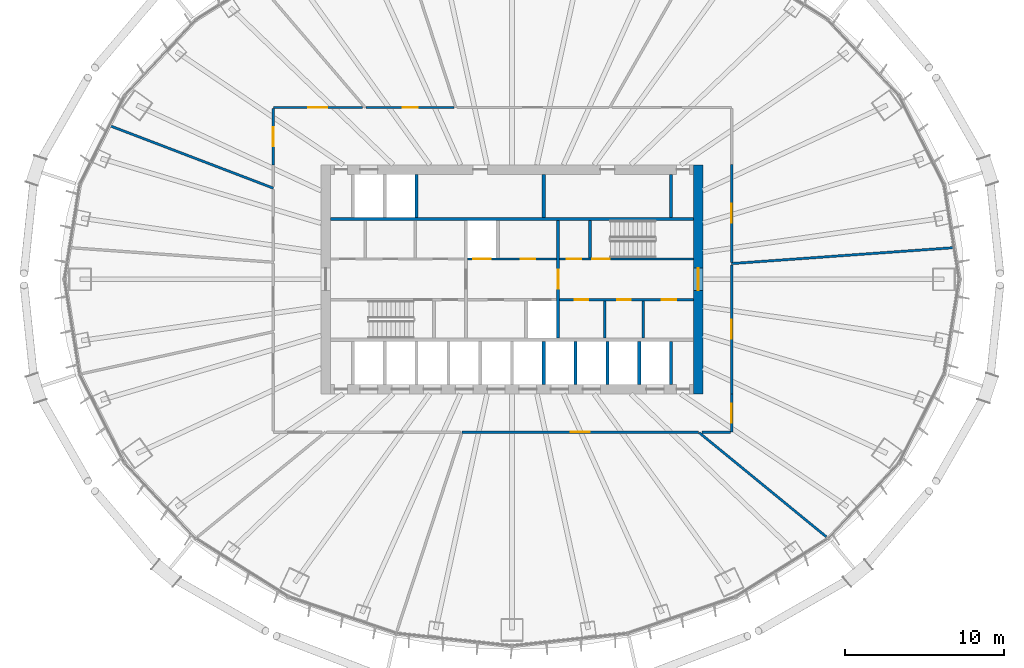
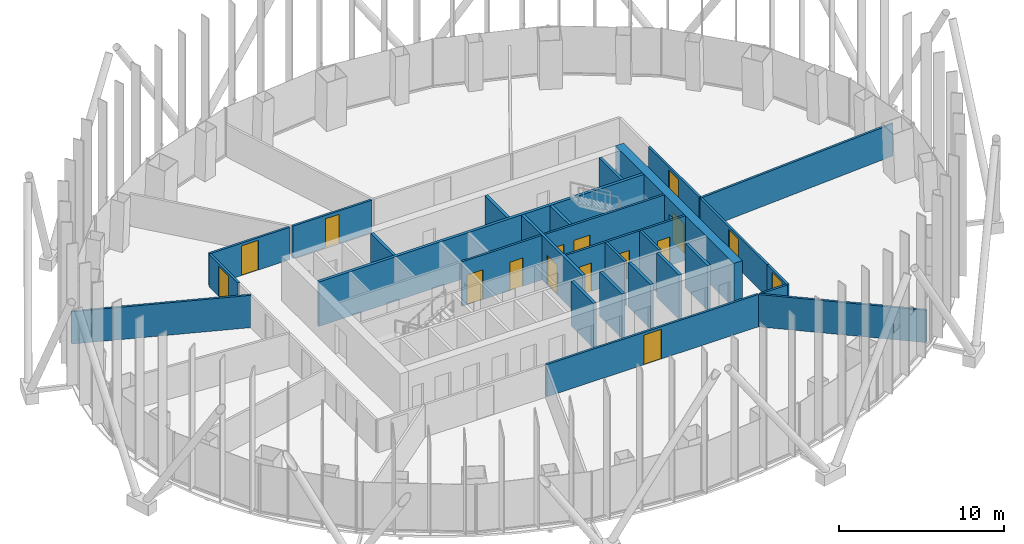
# One storey, part 9 of 22: 28 walls, 16 doors, 16 openings.
"""IFC4 building model written with IfcOpenShell, lengths in metres."""

from ifc_helpers import new_model, si_unit, direction, frame, frame_2d, origin, place, context, subcontext, project, spatial, rectangle, extrude, material, layer, layer_set, type_object, element, fill, save


model = new_model("IFC4")

# Units and contexts
model_context = context("Model", 3, precision=1e-05, world=origin(), true_north=direction((0.0, 1.0)))
body_context = subcontext(model_context, "Body", "Model", "MODEL_VIEW")
ifc_project = project(units=[si_unit("LENGTHUNIT", "METRE"), si_unit("AREAUNIT", "SQUARE_METRE"), si_unit("VOLUMEUNIT", "CUBIC_METRE"), si_unit("PLANEANGLEUNIT", "RADIAN"), si_unit("MASSUNIT", "GRAM", prefix="KILO")], contexts=[model_context])

# Site, building, storey
site_placement = place(None, origin())
site = spatial("IfcSite", under=ifc_project, at=site_placement, CompositionType="ELEMENT")
building_placement = place(site_placement, origin())
building = spatial("IfcBuilding", under=site, at=building_placement, Name="Siaravel Broadcast Tower", CompositionType="ELEMENT")
storey_placement = place(building_placement, frame((0.0, 0.0, 37.10009765625)))
storey = spatial("IfcBuildingStorey", under=building, at=storey_placement, Name="L07", CompositionType="ELEMENT", Elevation=37.10009765625)

# Walls
ifc_material_1 = material(Name="Concrete blockwork", Category="masonry")
ifc_layer_1 = layer(ifc_material_1, 0.14990234375)
ifc_layer_set_1 = layer_set([ifc_layer_1], Name="Concrete blockwork")
wall_type_1 = type_object("IfcWallType", Name="Core partition 150", PredefinedType="PARTITIONING", material=ifc_layer_set_1)
for number, where, z_axis, x_axis, name in (
    (1, (5.8291015625, -3.699951171875, 0.0), (0.0, 0.0, 1.0), (0.0, 1.0, 0.0), "L07 core partition PSE0"),
    (2, (8.2470703125, -3.699951171875, 0.0), (0.0, 0.0, 1.0), (0.0, 1.0, 0.0), "L07 core partition PSE1"),
):
    element("IfcWall", number, at=place(storey_placement, frame(where, z_axis=z_axis, x_axis=x_axis)), inside=storey, type_object=wall_type_1, Name=name, PredefinedType="PARTITIONING", context=body_context, shape_type="SweptSolid", body=[
        extrude(rectangle(XDim=2.349853515625, YDim=0.14990234375, at=frame_2d((1.1748046875, 0.0))), origin(), (0.0, 0.0, 1.0), 3.2998046875),
    ])
ifc_layer_2 = layer(ifc_material_1, 0.199951171875)
ifc_layer_set_2 = layer_set([ifc_layer_2], Name="Concrete blockwork")
wall_type_2 = type_object("IfcWallType", Name="Core partition 200", PredefinedType="PARTITIONING", material=ifc_layer_set_2)
wall_1_placement = place(storey_placement, frame((2.0, 3.89990234375, 0.0), z_axis=(0.0, 0.0, 1.0), x_axis=(0.0, 1.0, 0.0)))
element("IfcWall", 3, at=wall_1_placement, inside=storey, type_object=wall_type_2, Name="L07 core partition PFN2", PredefinedType="PARTITIONING", context=body_context, shape_type="SweptSolid", body=[
    extrude(rectangle(XDim=2.7001953125, YDim=0.199951171875, at=frame_2d((1.35009765625, 0.0))), origin(), (0.0, 0.0, 1.0), 3.2998046875),
])

# Wall, opening, door
ifc_material_2 = material(Name="Concrete C60/75", Category="concrete")
ifc_layer_3 = layer(ifc_material_2, 0.60009765625)
ifc_layer_set_3 = layer_set([ifc_layer_3], Name="Concrete C60/75")
wall_type_3 = type_object("IfcWallType", Name="Core wall 600", PredefinedType="SHEAR", material=ifc_layer_set_3)
wall_2_placement = place(storey_placement, frame((11.699951171875, -7.199951171875, 0.0), z_axis=(0.0, 0.0, 1.0), x_axis=(0.0, 1.0, 0.0)))
wall_2 = element("IfcWall", 4, at=wall_2_placement, inside=storey, type_object=wall_type_3, Name="L07 core wall OE", PredefinedType="SHEAR", context=body_context, shape_type="SweptSolid", body=[
    extrude(rectangle(XDim=14.39990234375, YDim=0.60009765625, at=frame_2d((7.199951171875, 0.0))), origin(), (0.0, 0.0, 1.0), 3.2998046875),
])
opening_1_placement = place(wall_2_placement, frame((6.5, 0.0, 0.0)))
opening_1 = element("IfcOpeningElement", 5, at=opening_1_placement, cuts=wall_2, Name="Opening L07-DX-E", PredefinedType="OPENING", context=body_context, shape_type="SweptSolid", body=[
    extrude(rectangle(XDim=1.39990234375, YDim=2.199951171875, at=frame_2d((0.699951171875, 1.10009765625))), frame((0.0, 0.31005859375, 0.0), z_axis=(0.0, -1.0, 0.0), x_axis=(1.0, 0.0, 0.0)), (0.0, 0.0, 1.0), 0.6201171875),
])
ifc_material_3 = material(Name="Steel", Category="steel")
door_type_1 = type_object("IfcDoorType", Name="Core exit door 1400", OperationType="DOUBLE_DOOR_SINGLE_SWING", PredefinedType="DOOR", material=ifc_material_3)
door_1_placement = place(opening_1_placement, origin())
door_1 = element("IfcDoor", 6, at=door_1_placement, inside=storey, type_object=door_type_1, Name="L07 door DX-E", OperationType="DOUBLE_DOOR_SINGLE_SWING", OverallHeight=2.199951171875, OverallWidth=1.39990234375, PredefinedType="DOOR", context=body_context, shape_type="SweptSolid", body=[
    extrude(rectangle(XDim=1.39990234375, YDim=2.199951171875, at=frame_2d((0.699951171875, 1.10009765625))), frame((0.0, 0.02490234375, 0.0), z_axis=(0.0, -1.0, 0.0), x_axis=(1.0, 0.0, 0.0)), (0.0, 0.0, 1.0), 0.050048828125),
])
fill(opening_1, door_1)

# Wall, openings, doors
ifc_material_4 = material(Name="Gypsum board partition", Category="gypsum")
ifc_layer_4 = layer(ifc_material_4, 0.14990234375)
ifc_layer_set_4 = layer_set([ifc_layer_4], Name="Gypsum board partition")
wall_type_4 = type_object("IfcWallType", Name="Corridor wall 150", PredefinedType="PARTITIONING", material=ifc_layer_set_4)
wall_3_placement = place(storey_placement, frame((3.0, -1.27490234375, 0.0), z_axis=(0.0, 0.0, 1.0), x_axis=(1.0, 0.0, 0.0)))
wall_3 = element("IfcWall", 7, at=wall_3_placement, inside=storey, type_object=wall_type_4, Name="L07 core partition CSE", PredefinedType="PARTITIONING", context=body_context, shape_type="SweptSolid", body=[
    extrude(rectangle(XDim=8.39990234375, YDim=0.14990234375, at=frame_2d((4.199951171875, 0.0))), origin(), (0.0, 0.0, 1.0), 3.2998046875),
])
opening_2_placement = place(wall_3_placement, frame((0.951904296875, 0.0, 0.0)))
opening_2 = element("IfcOpeningElement", 8, at=opening_2_placement, cuts=wall_3, Name="Opening L07-DSE0", PredefinedType="OPENING", context=body_context, shape_type="SweptSolid", body=[
    extrude(rectangle(XDim=0.85009765625, YDim=2.10009765625, at=frame_2d((0.425048828125, 1.050048828125))), frame((0.0, 0.0849609375, 0.0), z_axis=(0.0, -1.0, 0.0), x_axis=(1.0, 0.0, 0.0)), (0.0, 0.0, 1.0), 0.169921875),
])
opening_3_placement = place(wall_3_placement, frame((3.613037109375, 0.0, 0.0)))
opening_3 = element("IfcOpeningElement", 9, at=opening_3_placement, cuts=wall_3, Name="Opening L07-DSE1", PredefinedType="OPENING", context=body_context, shape_type="SweptSolid", body=[
    extrude(rectangle(XDim=0.85009765625, YDim=2.10009765625, at=frame_2d((0.425048828125, 1.050048828125))), frame((0.0, 0.0849609375, 0.0), z_axis=(0.0, -1.0, 0.0), x_axis=(1.0, 0.0, 0.0)), (0.0, 0.0, 1.0), 0.169921875),
])
opening_4_placement = place(wall_3_placement, frame((6.410888671875, 0.0, 0.0)))
opening_4 = element("IfcOpeningElement", 10, at=opening_4_placement, cuts=wall_3, Name="Opening L07-DSE2", PredefinedType="OPENING", context=body_context, shape_type="SweptSolid", body=[
    extrude(rectangle(XDim=0.89990234375, YDim=2.10009765625, at=frame_2d((0.449951171875, 1.050048828125))), frame((0.0, 0.0849609375, 0.0), z_axis=(0.0, -1.0, 0.0), x_axis=(1.0, 0.0, 0.0)), (0.0, 0.0, 1.0), 0.169921875),
])
ifc_material_5 = material(Name="Timber veneer", Category="wood")
door_type_2 = type_object("IfcDoorType", Name="Core room door 900", OperationType="SINGLE_SWING_LEFT", PredefinedType="DOOR", material=ifc_material_5)
door_2_placement = place(opening_4_placement, origin())
door_2 = element("IfcDoor", 11, at=door_2_placement, inside=storey, type_object=door_type_2, Name="L07 door DSE2", OperationType="SINGLE_SWING_LEFT", OverallHeight=2.10009765625, OverallWidth=0.89990234375, PredefinedType="DOOR", context=body_context, shape_type="SweptSolid", body=[
    extrude(rectangle(XDim=0.89990234375, YDim=2.10009765625, at=frame_2d((0.449951171875, 1.050048828125))), frame((0.0, 0.02490234375, 0.0), z_axis=(0.0, -1.0, 0.0), x_axis=(1.0, 0.0, 0.0)), (0.0, 0.0, 1.0), 0.050048828125),
])
fill(opening_4, door_2)
door_type_3 = type_object("IfcDoorType", Name="Core toilet door 850", OperationType="SINGLE_SWING_LEFT", PredefinedType="DOOR", material=ifc_material_5)
door_3_placement = place(opening_2_placement, origin())
door_3 = element("IfcDoor", 12, at=door_3_placement, inside=storey, type_object=door_type_3, Name="L07 door DSE0", OperationType="SINGLE_SWING_LEFT", OverallHeight=2.10009765625, OverallWidth=0.85009765625, PredefinedType="DOOR", context=body_context, shape_type="SweptSolid", body=[
    extrude(rectangle(XDim=0.85009765625, YDim=2.10009765625, at=frame_2d((0.425048828125, 1.050048828125))), frame((0.0, 0.02490234375, 0.0), z_axis=(0.0, -1.0, 0.0), x_axis=(1.0, 0.0, 0.0)), (0.0, 0.0, 1.0), 0.050048828125),
])
fill(opening_2, door_3)
door_4_placement = place(opening_3_placement, origin())
door_4 = element("IfcDoor", 13, at=door_4_placement, inside=storey, type_object=door_type_3, Name="L07 door DSE1", OperationType="SINGLE_SWING_LEFT", OverallHeight=2.10009765625, OverallWidth=0.85009765625, PredefinedType="DOOR", context=body_context, shape_type="SweptSolid", body=[
    extrude(rectangle(XDim=0.85009765625, YDim=2.10009765625, at=frame_2d((0.425048828125, 1.050048828125))), frame((0.0, 0.02490234375, 0.0), z_axis=(0.0, -1.0, 0.0), x_axis=(1.0, 0.0, 0.0)), (0.0, 0.0, 1.0), 0.050048828125),
])
fill(opening_3, door_4)

# Wall, opening, door
wall_4_placement = place(storey_placement, frame((-3.140380859375, -9.60009765625, 0.0), z_axis=(0.0, 0.0, 1.0), x_axis=(1.0, 0.0, 0.0)))
wall_4 = element("IfcWall", 14, at=wall_4_placement, inside=storey, type_object=wall_type_4, Name="L07 partition 1", PredefinedType="PARTITIONING", context=body_context, shape_type="SweptSolid", body=[
    extrude(rectangle(XDim=14.8603515625, YDim=0.14990234375, at=frame_2d((7.43017578125, 0.0))), origin(), (0.0, 0.0, 1.0), 2.39990234375),
])
opening_5_placement = place(wall_4_placement, frame((6.830078125, 0.0, 0.0)))
opening_5 = element("IfcOpeningElement", 15, at=opening_5_placement, cuts=wall_4, Name="Opening L07-014", PredefinedType="OPENING", context=body_context, shape_type="SweptSolid", body=[
    extrude(rectangle(XDim=1.199951171875, YDim=2.199951171875, at=frame_2d((0.60009765625, 1.10009765625))), frame((0.0, 0.0849609375, 0.0), z_axis=(0.0, -1.0, 0.0), x_axis=(1.0, 0.0, 0.0)), (0.0, 0.0, 1.0), 0.169921875),
])
door_type_4 = type_object("IfcDoorType", Name="Office double door 1200", OperationType="DOUBLE_DOOR_SINGLE_SWING", PredefinedType="DOOR", material=ifc_material_5)
door_5_placement = place(opening_5_placement, origin())
door_5 = element("IfcDoor", 16, at=door_5_placement, inside=storey, type_object=door_type_4, Name="L07 door to Open plan newsroom", OperationType="DOUBLE_DOOR_SINGLE_SWING", OverallHeight=2.199951171875, OverallWidth=1.199951171875, PredefinedType="DOOR", context=body_context, shape_type="SweptSolid", body=[
    extrude(rectangle(XDim=1.199951171875, YDim=2.199951171875, at=frame_2d((0.60009765625, 1.10009765625))), frame((0.0, 0.02490234375, 0.0), z_axis=(0.0, -1.0, 0.0), x_axis=(1.0, 0.0, 0.0)), (0.0, 0.0, 1.0), 0.050048828125),
])
fill(opening_5, door_5)

wall_5_placement = place(storey_placement, frame((13.800048828125, -7.2119140625, 0.0), z_axis=(0.0, 0.0, 1.0), x_axis=(0.0, 1.0, 0.0)))
wall_5 = element("IfcWall", 17, at=wall_5_placement, inside=storey, type_object=wall_type_4, Name="L07 partition 14", PredefinedType="PARTITIONING", context=body_context, shape_type="SweptSolid", body=[
    extrude(rectangle(XDim=8.1240234375, YDim=0.14990234375, at=frame_2d((4.06201171875, 0.0))), origin(), (0.0, 0.0, 1.0), 2.39990234375),
])
opening_6_placement = place(wall_5_placement, frame((3.462158203125, 0.0, 0.0)))
opening_6 = element("IfcOpeningElement", 18, at=opening_6_placement, cuts=wall_5, Name="Opening L07-001", PredefinedType="OPENING", context=body_context, shape_type="SweptSolid", body=[
    extrude(rectangle(XDim=1.199951171875, YDim=2.199951171875, at=frame_2d((0.60009765625, 1.10009765625))), frame((0.0, 0.0849609375, 0.0), z_axis=(0.0, -1.0, 0.0), x_axis=(1.0, 0.0, 0.0)), (0.0, 0.0, 1.0), 0.169921875),
])
door_6_placement = place(opening_6_placement, origin())
door_6 = element("IfcDoor", 19, at=door_6_placement, inside=storey, type_object=door_type_4, Name="L07 door to Open plan newsroom", OperationType="DOUBLE_DOOR_SINGLE_SWING", OverallHeight=2.199951171875, OverallWidth=1.199951171875, PredefinedType="DOOR", context=body_context, shape_type="SweptSolid", body=[
    extrude(rectangle(XDim=1.199951171875, YDim=2.199951171875, at=frame_2d((0.60009765625, 1.10009765625))), frame((0.0, 0.02490234375, 0.0), z_axis=(0.0, -1.0, 0.0), x_axis=(1.0, 0.0, 0.0)), (0.0, 0.0, 1.0), 0.050048828125),
])
fill(opening_6, door_6)

wall_6_placement = place(storey_placement, frame((13.800048828125, 1.071533203125, 0.0), z_axis=(0.0, 0.0, 1.0), x_axis=(0.0, 1.0, 0.0)))
wall_6 = element("IfcWall", 20, at=wall_6_placement, inside=storey, type_object=wall_type_4, Name="L07 partition 16", PredefinedType="PARTITIONING", context=body_context, shape_type="SweptSolid", body=[
    extrude(rectangle(XDim=6.140380859375, YDim=0.14990234375, at=frame_2d((3.0703125, 0.0))), origin(), (0.0, 0.0, 1.0), 2.39990234375),
])
opening_7_placement = place(wall_6_placement, frame((2.47021484375, 0.0, 0.0)))
opening_7 = element("IfcOpeningElement", 21, at=opening_7_placement, cuts=wall_6, Name="Opening L07-004", PredefinedType="OPENING", context=body_context, shape_type="SweptSolid", body=[
    extrude(rectangle(XDim=1.199951171875, YDim=2.199951171875, at=frame_2d((0.60009765625, 1.10009765625))), frame((0.0, 0.0849609375, 0.0), z_axis=(0.0, -1.0, 0.0), x_axis=(1.0, 0.0, 0.0)), (0.0, 0.0, 1.0), 0.169921875),
])
door_7_placement = place(opening_7_placement, origin())
door_7 = element("IfcDoor", 22, at=door_7_placement, inside=storey, type_object=door_type_4, Name="L07 door to Open plan newsroom", OperationType="DOUBLE_DOOR_SINGLE_SWING", OverallHeight=2.199951171875, OverallWidth=1.199951171875, PredefinedType="DOOR", context=body_context, shape_type="SweptSolid", body=[
    extrude(rectangle(XDim=1.199951171875, YDim=2.199951171875, at=frame_2d((0.60009765625, 1.10009765625))), frame((0.0, 0.02490234375, 0.0), z_axis=(0.0, -1.0, 0.0), x_axis=(1.0, 0.0, 0.0)), (0.0, 0.0, 1.0), 0.050048828125),
])
fill(opening_7, door_7)

wall_7_placement = place(storey_placement, frame((-9.397216796875, 10.800048828125, 0.0), z_axis=(0.0, 0.0, 1.0), x_axis=(-1.0, 0.0, 0.0)))
wall_7 = element("IfcWall", 23, at=wall_7_placement, inside=storey, type_object=wall_type_4, Name="L07 partition 17", PredefinedType="PARTITIONING", context=body_context, shape_type="SweptSolid", body=[
    extrude(rectangle(XDim=5.602783203125, YDim=0.14990234375, at=frame_2d((2.80126953125, 0.0))), origin(), (0.0, 0.0, 1.0), 2.39990234375),
])
opening_8_placement = place(wall_7_placement, frame((2.201416015625, 0.0, 0.0)))
opening_8 = element("IfcOpeningElement", 24, at=opening_8_placement, cuts=wall_7, Name="Opening L07-007", PredefinedType="OPENING", context=body_context, shape_type="SweptSolid", body=[
    extrude(rectangle(XDim=1.199951171875, YDim=2.199951171875, at=frame_2d((0.60009765625, 1.10009765625))), frame((0.0, 0.0849609375, 0.0), z_axis=(0.0, -1.0, 0.0), x_axis=(1.0, 0.0, 0.0)), (0.0, 0.0, 1.0), 0.169921875),
])
door_8_placement = place(opening_8_placement, origin())
door_8 = element("IfcDoor", 25, at=door_8_placement, inside=storey, type_object=door_type_4, Name="L07 door to Open plan newsroom", OperationType="DOUBLE_DOOR_SINGLE_SWING", OverallHeight=2.199951171875, OverallWidth=1.199951171875, PredefinedType="DOOR", context=body_context, shape_type="SweptSolid", body=[
    extrude(rectangle(XDim=1.199951171875, YDim=2.199951171875, at=frame_2d((0.60009765625, 1.10009765625))), frame((0.0, 0.02490234375, 0.0), z_axis=(0.0, -1.0, 0.0), x_axis=(1.0, 0.0, 0.0)), (0.0, 0.0, 1.0), 0.050048828125),
])
fill(opening_8, door_8)

wall_8_placement = place(storey_placement, frame((-3.63818359375, 10.800048828125, 0.0), z_axis=(0.0, 0.0, 1.0), x_axis=(-1.0, 0.0, 0.0)))
wall_8 = element("IfcWall", 26, at=wall_8_placement, inside=storey, type_object=wall_type_4, Name="L07 partition 18", PredefinedType="PARTITIONING", context=body_context, shape_type="SweptSolid", body=[
    extrude(rectangle(XDim=5.53515625, YDim=0.14990234375, at=frame_2d((2.767578125, 0.0))), origin(), (0.0, 0.0, 1.0), 2.39990234375),
])
opening_9_placement = place(wall_8_placement, frame((2.29248046875, 0.0, 0.0)))
opening_9 = element("IfcOpeningElement", 27, at=opening_9_placement, cuts=wall_8, Name="Opening L07-006", PredefinedType="OPENING", context=body_context, shape_type="SweptSolid", body=[
    extrude(rectangle(XDim=0.949951171875, YDim=2.14990234375, at=frame_2d((0.47509765625, 1.074951171875))), frame((0.0, 0.0849609375, 0.0), z_axis=(0.0, -1.0, 0.0), x_axis=(1.0, 0.0, 0.0)), (0.0, 0.0, 1.0), 0.169921875),
])
door_type_5 = type_object("IfcDoorType", Name="Office door 950", OperationType="SINGLE_SWING_LEFT", PredefinedType="DOOR", material=ifc_material_5)
door_9_placement = place(opening_9_placement, origin())
door_9 = element("IfcDoor", 28, at=door_9_placement, inside=storey, type_object=door_type_5, Name="L07 door to Production office", OperationType="SINGLE_SWING_RIGHT", OverallHeight=2.14990234375, OverallWidth=0.949951171875, PredefinedType="DOOR", context=body_context, shape_type="SweptSolid", body=[
    extrude(rectangle(XDim=0.949951171875, YDim=2.14990234375, at=frame_2d((0.47509765625, 1.074951171875))), frame((0.0, 0.02490234375, 0.0), z_axis=(0.0, -1.0, 0.0), x_axis=(1.0, 0.0, 0.0)), (0.0, 0.0, 1.0), 0.050048828125),
])
fill(opening_9, door_9)

wall_9_placement = place(storey_placement, frame((-15.0, 10.722900390625, 0.0), z_axis=(0.0, 0.0, 1.0), x_axis=(0.0, -1.0, 0.0)))
wall_9 = element("IfcWall", 29, at=wall_9_placement, inside=storey, type_object=wall_type_4, Name="L07 partition 22", PredefinedType="PARTITIONING", context=body_context, shape_type="SweptSolid", body=[
    extrude(rectangle(XDim=3.534912109375, YDim=0.14990234375, at=frame_2d((1.767578125, 0.0))), origin(), (0.0, 0.0, 1.0), 2.39990234375),
])
opening_10_placement = place(wall_9_placement, frame((1.16748046875, 0.0, 0.0)))
opening_10 = element("IfcOpeningElement", 30, at=opening_10_placement, cuts=wall_9, Name="Opening L07-008", PredefinedType="OPENING", context=body_context, shape_type="SweptSolid", body=[
    extrude(rectangle(XDim=1.199951171875, YDim=2.199951171875, at=frame_2d((0.60009765625, 1.10009765625))), frame((0.0, 0.0849609375, 0.0), z_axis=(0.0, -1.0, 0.0), x_axis=(1.0, 0.0, 0.0)), (0.0, 0.0, 1.0), 0.169921875),
])
door_10_placement = place(opening_10_placement, origin())
door_10 = element("IfcDoor", 31, at=door_10_placement, inside=storey, type_object=door_type_4, Name="L07 door to Open plan newsroom", OperationType="DOUBLE_DOOR_SINGLE_SWING", OverallHeight=2.199951171875, OverallWidth=1.199951171875, PredefinedType="DOOR", context=body_context, shape_type="SweptSolid", body=[
    extrude(rectangle(XDim=1.199951171875, YDim=2.199951171875, at=frame_2d((0.60009765625, 1.10009765625))), frame((0.0, 0.02490234375, 0.0), z_axis=(0.0, -1.0, 0.0), x_axis=(1.0, 0.0, 0.0)), (0.0, 0.0, 1.0), 0.050048828125),
])
fill(opening_10, door_10)

wall_10_placement = place(storey_placement, frame((13.800048828125, -9.60009765625, 0.0), z_axis=(0.0, 0.0, 1.0), x_axis=(0.0, 1.0, 0.0)))
wall_10 = element("IfcWall", 32, at=wall_10_placement, inside=storey, type_object=wall_type_4, Name="L07 partition 26", PredefinedType="PARTITIONING", context=body_context, shape_type="SweptSolid", body=[
    extrude(rectangle(XDim=2.38720703125, YDim=0.14990234375, at=frame_2d((1.193603515625, 0.0))), origin(), (0.0, 0.0, 1.0), 2.39990234375),
])
opening_11_placement = place(wall_10_placement, frame((0.593505859375, 0.0, 0.0)))
opening_11 = element("IfcOpeningElement", 33, at=opening_11_placement, cuts=wall_10, Name="Opening L07-002", PredefinedType="OPENING", context=body_context, shape_type="SweptSolid", body=[
    extrude(rectangle(XDim=1.199951171875, YDim=2.199951171875, at=frame_2d((0.60009765625, 1.10009765625))), frame((0.0, 0.0849609375, 0.0), z_axis=(0.0, -1.0, 0.0), x_axis=(1.0, 0.0, 0.0)), (0.0, 0.0, 1.0), 0.169921875),
])
door_11_placement = place(opening_11_placement, origin())
door_11 = element("IfcDoor", 34, at=door_11_placement, inside=storey, type_object=door_type_4, Name="L07 door to Open plan newsroom", OperationType="DOUBLE_DOOR_SINGLE_SWING", OverallHeight=2.199951171875, OverallWidth=1.199951171875, PredefinedType="DOOR", context=body_context, shape_type="SweptSolid", body=[
    extrude(rectangle(XDim=1.199951171875, YDim=2.199951171875, at=frame_2d((0.60009765625, 1.10009765625))), frame((0.0, 0.02490234375, 0.0), z_axis=(0.0, -1.0, 0.0), x_axis=(1.0, 0.0, 0.0)), (0.0, 0.0, 1.0), 0.050048828125),
])
fill(opening_11, door_11)

# Walls
wall_11_placement = place(storey_placement, frame((11.931884765625, -9.60009765625, 0.0), z_axis=(0.0, 0.0, 1.0), x_axis=(1.0, 0.0, 0.0)))
element("IfcWall", 35, at=wall_11_placement, inside=storey, type_object=wall_type_4, Name="L07 partition 27", PredefinedType="PARTITIONING", context=body_context, shape_type="SweptSolid", body=[
    extrude(rectangle(XDim=1.791015625, YDim=0.14990234375, at=frame_2d((0.8955078125, 0.0))), origin(), (0.0, 0.0, 1.0), 2.39990234375),
])
ifc_layer_5 = layer(ifc_material_4, 0.14990234375)
ifc_layer_set_5 = layer_set([ifc_layer_5], Name="Gypsum board partition")
wall_type_5 = type_object("IfcWallType", Name="Room partition 150", PredefinedType="PARTITIONING", material=ifc_layer_set_5)
wall_12_placement = place(storey_placement, frame((27.83935546875, 1.9951171875, 0.0), z_axis=(0.0, 0.0, 1.0), x_axis=(-0.997442032, -0.071480021, 0.0)))
element("IfcWall", 36, at=wall_12_placement, inside=storey, type_object=wall_type_5, Name="L07 partition 2", PredefinedType="PARTITIONING", context=body_context, shape_type="SweptSolid", body=[
    extrude(rectangle(XDim=14.0751953125, YDim=0.14990234375, at=frame_2d((7.03759765625, 0.0))), origin(), (0.0, 0.0, 1.0), 2.39990234375),
])
wall_13_placement = place(storey_placement, frame((-25.323974609375, 9.672607421875, 0.0), z_axis=(0.0, 0.0, 1.0), x_axis=(0.934181171, -0.356799018, 0.0)))
element("IfcWall", 37, at=wall_13_placement, inside=storey, type_object=wall_type_5, Name="L07 partition 8", PredefinedType="PARTITIONING", context=body_context, shape_type="SweptSolid", body=[
    extrude(rectangle(XDim=11.05126953125, YDim=0.14990234375, at=frame_2d((5.525634765625, 0.0))), origin(), (0.0, 0.0, 1.0), 2.39990234375),
])
wall_14_placement = place(storey_placement, frame((11.75830078125, -9.63134765625, 0.0), z_axis=(0.0, 0.0, 1.0), x_axis=(0.773600236, -0.63367395, 0.0)))
element("IfcWall", 38, at=wall_14_placement, inside=storey, type_object=wall_type_5, Name="L07 partition 11", PredefinedType="PARTITIONING", context=body_context, shape_type="SweptSolid", body=[
    extrude(rectangle(XDim=10.330810546875, YDim=0.14990234375, at=frame_2d((5.16552734375, 0.0))), origin(), (0.0, 0.0, 1.0), 2.39990234375),
])

# Wall, openings, doors
ifc_layer_6 = layer(ifc_material_2, 0.14990234375)
ifc_layer_set_6 = layer_set([ifc_layer_6], Name="Concrete C60/75")
wall_type_6 = type_object("IfcWallType", Name="Shaft wall 150", PredefinedType="SHEAR", material=ifc_layer_set_6)
wall_15_placement = place(storey_placement, frame((-2.800048828125, 1.27490234375, 0.0), z_axis=(0.0, 0.0, 1.0), x_axis=(1.0, 0.0, 0.0)))
wall_15 = element("IfcWall", 39, at=wall_15_placement, inside=storey, type_object=wall_type_6, Name="L07 core wall CNM", PredefinedType="SHEAR", context=body_context, shape_type="SweptSolid", body=[
    extrude(rectangle(XDim=5.60009765625, YDim=0.14990234375, at=frame_2d((2.800048828125, 0.0))), origin(), (0.0, 0.0, 1.0), 3.2998046875),
])
opening_12_placement = place(wall_15_placement, frame((0.35009765625, 0.0, 0.0)))
opening_12 = element("IfcOpeningElement", 40, at=opening_12_placement, cuts=wall_15, Name="Opening LD-FL1-L07", PredefinedType="OPENING", context=body_context, shape_type="SweptSolid", body=[
    extrude(rectangle(XDim=1.10009765625, YDim=2.199951171875, at=frame_2d((0.550048828125, 1.10009765625))), frame((0.0, 0.0849609375, 0.0), z_axis=(0.0, -1.0, 0.0), x_axis=(1.0, 0.0, 0.0)), (0.0, 0.0, 1.0), 0.169921875),
])
opening_13_placement = place(wall_15_placement, frame((3.35009765625, 0.0, 0.0)))
opening_13 = element("IfcOpeningElement", 41, at=opening_13_placement, cuts=wall_15, Name="Opening L07-DNM0", PredefinedType="OPENING", context=body_context, shape_type="SweptSolid", body=[
    extrude(rectangle(XDim=0.89990234375, YDim=2.10009765625, at=frame_2d((0.449951171875, 1.050048828125))), frame((0.0, 0.0849609375, 0.0), z_axis=(0.0, -1.0, 0.0), x_axis=(1.0, 0.0, 0.0)), (0.0, 0.0, 1.0), 0.169921875),
])
door_12_placement = place(opening_13_placement, origin())
door_12 = element("IfcDoor", 42, at=door_12_placement, inside=storey, type_object=door_type_2, Name="L07 door DNM0", OperationType="SINGLE_SWING_LEFT", OverallHeight=2.10009765625, OverallWidth=0.89990234375, PredefinedType="DOOR", context=body_context, shape_type="SweptSolid", body=[
    extrude(rectangle(XDim=0.89990234375, YDim=2.10009765625, at=frame_2d((0.449951171875, 1.050048828125))), frame((0.0, 0.02490234375, 0.0), z_axis=(0.0, -1.0, 0.0), x_axis=(1.0, 0.0, 0.0)), (0.0, 0.0, 1.0), 0.050048828125),
])
fill(opening_13, door_12)
ifc_material_6 = material(Name="Stainless steel 316L", Category="steel")
door_type_6 = type_object("IfcDoorType", Name="Firefighting lift landing door 1100", OperationType="DOUBLE_DOOR_SLIDING", PredefinedType="DOOR", material=ifc_material_6)
door_13_placement = place(opening_12_placement, origin())
door_13 = element("IfcDoor", 43, at=door_13_placement, inside=storey, type_object=door_type_6, Name="Landing door FL1 L07", OperationType="DOUBLE_DOOR_SLIDING", OverallHeight=2.199951171875, OverallWidth=1.10009765625, PredefinedType="DOOR", context=body_context, shape_type="SweptSolid", body=[
    extrude(rectangle(XDim=1.10009765625, YDim=2.199951171875, at=frame_2d((0.550048828125, 1.10009765625))), frame((0.0, 0.02490234375, 0.0), z_axis=(0.0, -1.0, 0.0), x_axis=(1.0, 0.0, 0.0)), (0.0, 0.0, 1.0), 0.050048828125),
])
fill(opening_12, door_13)

wall_16_placement = place(storey_placement, frame((3.0, 1.27490234375, 0.0), z_axis=(0.0, 0.0, 1.0), x_axis=(1.0, 0.0, 0.0)))
wall_16 = element("IfcWall", 44, at=wall_16_placement, inside=storey, type_object=wall_type_6, Name="L07 core wall CNE", PredefinedType="SHEAR", context=body_context, shape_type="SweptSolid", body=[
    extrude(rectangle(XDim=8.39990234375, YDim=0.14990234375, at=frame_2d((4.199951171875, 0.0))), origin(), (0.0, 0.0, 1.0), 3.2998046875),
])
opening_14_placement = place(wall_16_placement, frame((2.050048828125, 0.0, 0.0)))
opening_14 = element("IfcOpeningElement", 45, at=opening_14_placement, cuts=wall_16, Name="Opening L07-DS-2", PredefinedType="OPENING", context=body_context, shape_type="SweptSolid", body=[
    extrude(rectangle(XDim=1.10009765625, YDim=2.14990234375, at=frame_2d((0.550048828125, 1.074951171875))), frame((0.0, 0.0849609375, 0.0), z_axis=(0.0, -1.0, 0.0), x_axis=(1.0, 0.0, 0.0)), (0.0, 0.0, 1.0), 0.169921875),
])
opening_15_placement = place(wall_16_placement, frame((0.449951171875, 0.0, 0.0)))
opening_15 = element("IfcOpeningElement", 46, at=opening_15_placement, cuts=wall_16, Name="Opening L07-DNE0", PredefinedType="OPENING", context=body_context, shape_type="SweptSolid", body=[
    extrude(rectangle(XDim=0.89990234375, YDim=2.10009765625, at=frame_2d((0.449951171875, 1.050048828125))), frame((0.0, 0.0849609375, 0.0), z_axis=(0.0, -1.0, 0.0), x_axis=(1.0, 0.0, 0.0)), (0.0, 0.0, 1.0), 0.169921875),
])
door_14_placement = place(opening_15_placement, origin())
door_14 = element("IfcDoor", 47, at=door_14_placement, inside=storey, type_object=door_type_2, Name="L07 door DNE0", OperationType="SINGLE_SWING_LEFT", OverallHeight=2.10009765625, OverallWidth=0.89990234375, PredefinedType="DOOR", context=body_context, shape_type="SweptSolid", body=[
    extrude(rectangle(XDim=0.89990234375, YDim=2.10009765625, at=frame_2d((0.449951171875, 1.050048828125))), frame((0.0, 0.02490234375, 0.0), z_axis=(0.0, -1.0, 0.0), x_axis=(1.0, 0.0, 0.0)), (0.0, 0.0, 1.0), 0.050048828125),
])
fill(opening_15, door_14)
door_type_7 = type_object("IfcDoorType", Name="Stair door 1100", OperationType="SINGLE_SWING_LEFT", PredefinedType="DOOR", material=ifc_material_3)
door_15_placement = place(opening_14_placement, origin())
door_15 = element("IfcDoor", 48, at=door_15_placement, inside=storey, type_object=door_type_7, Name="L07 door DS-2", OperationType="SINGLE_SWING_LEFT", OverallHeight=2.14990234375, OverallWidth=1.10009765625, PredefinedType="DOOR", context=body_context, shape_type="SweptSolid", body=[
    extrude(rectangle(XDim=1.10009765625, YDim=2.14990234375, at=frame_2d((0.550048828125, 1.074951171875))), frame((0.0, 0.02490234375, 0.0), z_axis=(0.0, -1.0, 0.0), x_axis=(1.0, 0.0, 0.0)), (0.0, 0.0, 1.0), 0.050048828125),
])
fill(opening_14, door_15)

# Walls
ifc_layer_7 = layer(ifc_material_2, 0.199951171875)
ifc_layer_set_7 = layer_set([ifc_layer_7], Name="Concrete C60/75")
wall_type_7 = type_object("IfcWallType", Name="Shaft wall 200", PredefinedType="SHEAR", material=ifc_layer_set_7)
wall_17_placement = place(storey_placement, frame((-11.39990234375, 3.800048828125, 0.0), z_axis=(0.0, 0.0, 1.0), x_axis=(1.0, 0.0, 0.0)))
element("IfcWall", 49, at=wall_17_placement, inside=storey, type_object=wall_type_7, Name="L07 core wall BN", PredefinedType="SHEAR", context=body_context, shape_type="SweptSolid", body=[
    extrude(rectangle(XDim=22.7998046875, YDim=0.199951171875, at=frame_2d((11.39990234375, 0.0))), origin(), (0.0, 0.0, 1.0), 3.2998046875),
])
for number, where, z_axis, x_axis, name in (
    (50, (2.0, -6.60009765625, 0.0), (0.0, 0.0, 1.0), (0.0, 1.0, 0.0), "L07 core wall SWS6"),
    (51, (4.0, -6.60009765625, 0.0), (0.0, 0.0, 1.0), (0.0, 1.0, 0.0), "L07 core wall SWS7"),
    (52, (6.0, -6.60009765625, 0.0), (0.0, 0.0, 1.0), (0.0, 1.0, 0.0), "L07 core wall SWS8"),
    (53, (8.0, -6.60009765625, 0.0), (0.0, 0.0, 1.0), (0.0, 1.0, 0.0), "L07 core wall SWS9"),
    (54, (10.0, -6.60009765625, 0.0), (0.0, 0.0, 1.0), (0.0, 1.0, 0.0), "L07 core wall SWS10"),
    (55, (-6.0, 3.89990234375, 0.0), (0.0, 0.0, 1.0), (0.0, 1.0, 0.0), "L07 core wall SWN2"),
    (56, (10.0, 3.89990234375, 0.0), (0.0, 0.0, 1.0), (0.0, 1.0, 0.0), "L07 core wall SWN10"),
):
    element("IfcWall", number, at=place(storey_placement, frame(where, z_axis=z_axis, x_axis=x_axis)), inside=storey, type_object=wall_type_7, Name=name, PredefinedType="SHEAR", context=body_context, shape_type="SweptSolid", body=[
        extrude(rectangle(XDim=2.7001953125, YDim=0.199951171875, at=frame_2d((1.35009765625, 0.0))), origin(), (0.0, 0.0, 1.0), 3.2998046875),
    ])

# Wall, opening, door
wall_18_placement = place(storey_placement, frame((2.89990234375, -3.699951171875, 0.0), z_axis=(0.0, 0.0, 1.0), x_axis=(0.0, 1.0, 0.0)))
wall_18 = element("IfcWall", 57, at=wall_18_placement, inside=storey, type_object=wall_type_7, Name="L07 core wall LE", PredefinedType="SHEAR", context=body_context, shape_type="SweptSolid", body=[
    extrude(rectangle(XDim=7.39990234375, YDim=0.199951171875, at=frame_2d((3.699951171875, 0.0))), origin(), (0.0, 0.0, 1.0), 3.2998046875),
])
opening_16_placement = place(wall_18_placement, frame((3.10009765625, 0.0, 0.0)))
opening_16 = element("IfcOpeningElement", 58, at=opening_16_placement, cuts=wall_18, Name="Opening L07-DL-E", PredefinedType="OPENING", context=body_context, shape_type="SweptSolid", body=[
    extrude(rectangle(XDim=1.199951171875, YDim=2.199951171875, at=frame_2d((0.60009765625, 1.10009765625))), frame((0.0, 0.10986328125, 0.0), z_axis=(0.0, -1.0, 0.0), x_axis=(1.0, 0.0, 0.0)), (0.0, 0.0, 1.0), 0.219970703125),
])
door_type_8 = type_object("IfcDoorType", Name="Firefighting lobby door 1200", OperationType="SINGLE_SWING_LEFT", PredefinedType="DOOR", material=ifc_material_3)
door_16_placement = place(opening_16_placement, origin())
door_16 = element("IfcDoor", 59, at=door_16_placement, inside=storey, type_object=door_type_8, Name="L07 door DL-E", OperationType="SINGLE_SWING_LEFT", OverallHeight=2.199951171875, OverallWidth=1.199951171875, PredefinedType="DOOR", context=body_context, shape_type="SweptSolid", body=[
    extrude(rectangle(XDim=1.199951171875, YDim=2.199951171875, at=frame_2d((0.60009765625, 1.10009765625))), frame((0.0, 0.02490234375, 0.0), z_axis=(0.0, -1.0, 0.0), x_axis=(1.0, 0.0, 0.0)), (0.0, 0.0, 1.0), 0.050048828125),
])
fill(opening_16, door_16)

# Wall
wall_19_placement = place(storey_placement, frame((4.89990234375, 1.35009765625, 0.0), z_axis=(0.0, 0.0, 1.0), x_axis=(0.0, 1.0, 0.0)))
element("IfcWall", 60, at=wall_19_placement, inside=storey, type_object=wall_type_7, Name="L07 core wall ST2W", PredefinedType="SHEAR", context=body_context, shape_type="SweptSolid", body=[
    extrude(rectangle(XDim=2.349853515625, YDim=0.199951171875, at=frame_2d((1.1748046875, 0.0))), origin(), (0.0, 0.0, 1.0), 3.2998046875),
])

save(model, "model.ifc")
